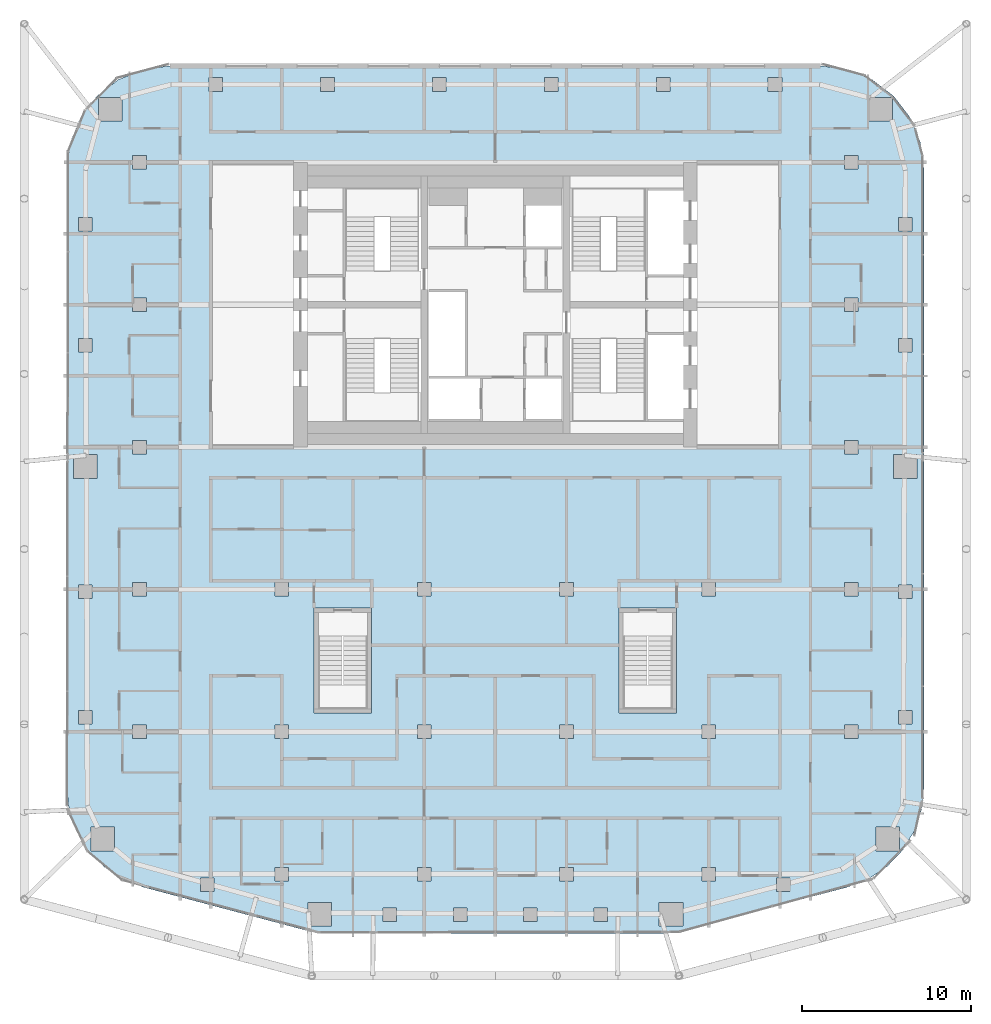
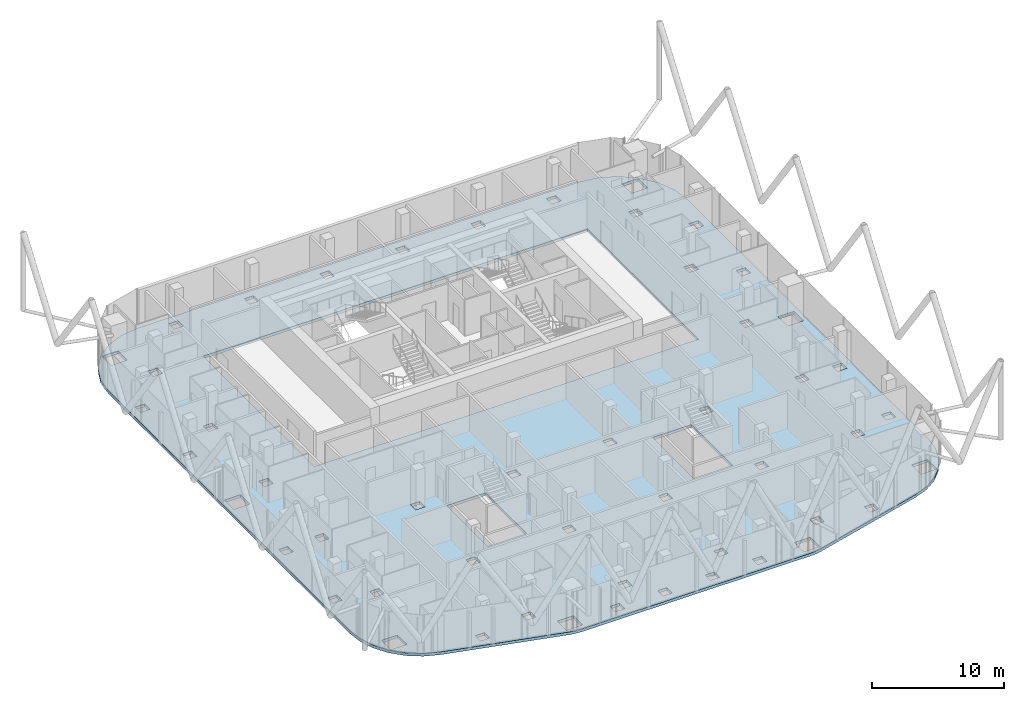
# One storey, part 17 of 31: 1 slab.
"""IFC4 building model written with IfcOpenShell, lengths in metres."""

from ifc_helpers import new_model, si_unit, direction, frame, origin, place, context, subcontext, project, spatial, polyline, outline, extrude, material, layer, layer_set, type_object, element, save


model = new_model("IFC4")

# Units and contexts
model_context = context("Model", 3, precision=1e-05, world=origin(), true_north=direction((0.0, 1.0)))
body_context = subcontext(model_context, "Body", "Model", "MODEL_VIEW")
ifc_project = project(units=[si_unit("LENGTHUNIT", "METRE"), si_unit("AREAUNIT", "SQUARE_METRE"), si_unit("VOLUMEUNIT", "CUBIC_METRE"), si_unit("PLANEANGLEUNIT", "RADIAN"), si_unit("MASSUNIT", "GRAM", prefix="KILO")], contexts=[model_context])

# Site, building, storey
site_placement = place(None, origin())
site = spatial("IfcSite", under=ifc_project, at=site_placement, CompositionType="ELEMENT")
building_placement = place(site_placement, origin())
building = spatial("IfcBuilding", under=site, at=building_placement, Name="Marenta Gate Hotel Tower", CompositionType="ELEMENT")
storey_placement = place(building_placement, frame((0.0, 0.0, 234.5)))
storey = spatial("IfcBuildingStorey", under=building, at=storey_placement, Name="L55", CompositionType="ELEMENT", Elevation=234.5)

# Slab
ifc_material = material(Name="Concrete C35", Category="concrete")
ifc_layer = layer(ifc_material, 0.260009765625)
ifc_layer_set = layer_set([ifc_layer], Name="Concrete C35")
slab_type = type_object("IfcSlabType", Name="Concrete floor slab 260", PredefinedType="FLOOR", material=ifc_layer_set)
slab_placement = place(storey_placement, frame((0.0, 0.0, -0.260009765625)))
element("IfcSlab", 1, at=slab_placement, inside=storey, type_object=slab_type, Name="L55-SL-1", PredefinedType="FLOOR", context=body_context, shape_type="SweptSolid", body=[
    extrude(outline(polyline([(-23.11376953125, -24.76416015625), (-24.035400390625, -23.803955078125), (-24.72705078125, -22.6669921875), (-25.155517578125, -21.4072265625), (-25.300048828125, -20.08984375), (-25.300048828125, 16.406494140625), (-25.093017578125, 17.97900390625), (-24.483642578125, 19.450439453125), (-23.513916015625, 20.7138671875), (-22.25048828125, 21.68359375), (-20.779052734375, 22.29296875), (-19.20654296875, 22.5), (19.20654296875, 22.5), (20.779052734375, 22.29296875), (22.25048828125, 21.68359375), (23.513916015625, 20.7138671875), (24.483642578125, 19.450439453125), (25.093017578125, 17.97900390625), (25.300048828125, 16.406494140625), (25.300048828125, -20.08984375), (25.155517578125, -21.4072265625), (24.72705078125, -22.6669921875), (24.035400390625, -23.803955078125), (23.11376953125, -24.76416015625), (22.005859375, -25.501220703125), (20.76953125, -25.978759765625), (11.026611328125, -28.563720703125), (10.508544921875, -28.665771484375), (9.981689453125, -28.699951171875), (-9.981689453125, -28.699951171875), (-10.508544921875, -28.665771484375), (-11.026611328125, -28.563720703125), (-20.76953125, -25.978759765625), (-22.005859375, -25.501220703125), (-23.11376953125, -24.76416015625)]), holes=[polyline([(-16.800048828125, 0.0), (16.800048828125, 0.0), (16.800048828125, 16.800048828125), (-16.800048828125, 16.800048828125), (-16.800048828125, 0.0)]), polyline([(-16.606689453125, -25.439208984375), (-17.40673828125, -25.439208984375), (-17.40673828125, -26.239013671875), (-16.606689453125, -26.239013671875), (-16.606689453125, -25.439208984375)]), polyline([(-12.199951171875, -25.60009765625), (-12.199951171875, -24.800048828125), (-13.0, -24.800048828125), (-13.0, -25.60009765625), (-12.199951171875, -25.60009765625)]), polyline([(-22.462890625, -23.8330078125), (-22.462890625, -22.43310546875), (-23.863037109375, -22.43310546875), (-23.863037109375, -23.8330078125), (-22.462890625, -23.8330078125)]), polyline([(-12.199951171875, -16.39990234375), (-13.0, -16.39990234375), (-13.0, -17.199951171875), (-12.199951171875, -17.199951171875), (-12.199951171875, -16.39990234375)]), polyline([(-20.60009765625, -17.199951171875), (-20.60009765625, -16.39990234375), (-21.39990234375, -16.39990234375), (-21.39990234375, -17.199951171875), (-20.60009765625, -17.199951171875)]), polyline([(-23.800048828125, -16.351806640625), (-23.800048828125, -15.552001953125), (-24.60009765625, -15.552001953125), (-24.60009765625, -16.351806640625), (-23.800048828125, -16.351806640625)]), polyline([(-23.800048828125, -8.15087890625), (-24.60009765625, -8.15087890625), (-24.60009765625, -8.950927734375), (-23.800048828125, -8.950927734375), (-23.800048828125, -8.15087890625)]), polyline([(-12.199951171875, -8.800048828125), (-12.199951171875, -8.0), (-13.0, -8.0), (-13.0, -8.800048828125), (-12.199951171875, -8.800048828125)]), polyline([(-20.60009765625, -8.800048828125), (-20.60009765625, -8.0), (-21.39990234375, -8.0), (-21.39990234375, -8.800048828125), (-20.60009765625, -8.800048828125)]), polyline([(-23.5, -0.449951171875), (-24.89990234375, -0.449951171875), (-24.89990234375, -1.85009765625), (-23.5, -1.85009765625), (-23.5, -0.449951171875)]), polyline([(-20.60009765625, -0.39990234375), (-20.60009765625, 0.39990234375), (-21.39990234375, 0.39990234375), (-21.39990234375, -0.39990234375), (-20.60009765625, -0.39990234375)]), polyline([(-23.800048828125, 5.603271484375), (-23.800048828125, 6.4033203125), (-24.60009765625, 6.4033203125), (-24.60009765625, 5.603271484375), (-23.800048828125, 5.603271484375)]), polyline([(-20.60009765625, 8.800048828125), (-21.39990234375, 8.800048828125), (-21.39990234375, 8.0), (-20.60009765625, 8.0), (-20.60009765625, 8.800048828125)]), polyline([(-23.800048828125, 12.75634765625), (-23.800048828125, 13.556396484375), (-24.60009765625, 13.556396484375), (-24.60009765625, 12.75634765625), (-23.800048828125, 12.75634765625)]), polyline([(-20.60009765625, 16.39990234375), (-20.60009765625, 17.199951171875), (-21.39990234375, 17.199951171875), (-21.39990234375, 16.39990234375), (-20.60009765625, 16.39990234375)]), polyline([(-22.035400390625, 20.635498046875), (-23.435546875, 20.635498046875), (-23.435546875, 19.235595703125), (-22.035400390625, 19.235595703125), (-22.035400390625, 20.635498046875)]), polyline([(-16.10693359375, 21.0), (-16.10693359375, 21.800048828125), (-16.906982421875, 21.800048828125), (-16.906982421875, 21.0), (-16.10693359375, 21.0)]), polyline([(-5.820068359375, -28.0), (-5.820068359375, -27.199951171875), (-6.6201171875, -27.199951171875), (-6.6201171875, -28.0), (-5.820068359375, -28.0)]), polyline([(6.6201171875, -27.199951171875), (5.820068359375, -27.199951171875), (5.820068359375, -28.0), (6.6201171875, -28.0), (6.6201171875, -27.199951171875)]), polyline([(2.473388671875, -28.0), (2.473388671875, -27.199951171875), (1.67333984375, -27.199951171875), (1.67333984375, -28.0), (2.473388671875, -28.0)]), polyline([(-1.67333984375, -28.0), (-1.67333984375, -27.199951171875), (-2.473388671875, -27.199951171875), (-2.473388671875, -28.0), (-1.67333984375, -28.0)]), polyline([(-9.666259765625, -28.27490234375), (-9.666259765625, -26.874755859375), (-11.06640625, -26.874755859375), (-11.06640625, -28.27490234375), (-9.666259765625, -28.27490234375)]), polyline([(11.06640625, -28.27490234375), (11.06640625, -26.874755859375), (9.666259765625, -26.874755859375), (9.666259765625, -28.27490234375), (11.06640625, -28.27490234375)]), polyline([(13.0, -25.60009765625), (13.0, -24.800048828125), (12.199951171875, -24.800048828125), (12.199951171875, -25.60009765625), (13.0, -25.60009765625)]), polyline([(4.60009765625, -25.60009765625), (4.60009765625, -24.800048828125), (3.800048828125, -24.800048828125), (3.800048828125, -25.60009765625), (4.60009765625, -25.60009765625)]), polyline([(-3.800048828125, -24.800048828125), (-4.60009765625, -24.800048828125), (-4.60009765625, -25.60009765625), (-3.800048828125, -25.60009765625), (-3.800048828125, -24.800048828125)]), polyline([(4.60009765625, -17.199951171875), (4.60009765625, -16.39990234375), (3.800048828125, -16.39990234375), (3.800048828125, -17.199951171875), (4.60009765625, -17.199951171875)]), polyline([(-3.800048828125, -17.199951171875), (-3.800048828125, -16.39990234375), (-4.60009765625, -16.39990234375), (-4.60009765625, -17.199951171875), (-3.800048828125, -17.199951171875)]), polyline([(4.60009765625, -8.0), (3.800048828125, -8.0), (3.800048828125, -8.800048828125), (4.60009765625, -8.800048828125), (4.60009765625, -8.0)]), polyline([(-3.800048828125, -8.800048828125), (-3.800048828125, -8.0), (-4.60009765625, -8.0), (-4.60009765625, -8.800048828125), (-3.800048828125, -8.800048828125)]), polyline([(-2.9013671875, 21.0), (-2.9013671875, 21.800048828125), (-3.701416015625, 21.800048828125), (-3.701416015625, 21.0), (-2.9013671875, 21.0)]), polyline([(3.701416015625, 21.800048828125), (2.9013671875, 21.800048828125), (2.9013671875, 21.0), (3.701416015625, 21.0), (3.701416015625, 21.800048828125)]), polyline([(10.30419921875, 21.0), (10.30419921875, 21.800048828125), (9.504150390625, 21.800048828125), (9.504150390625, 21.0), (10.30419921875, 21.0)]), polyline([(-9.504150390625, 21.0), (-9.504150390625, 21.800048828125), (-10.30419921875, 21.800048828125), (-10.30419921875, 21.0), (-9.504150390625, 21.0)]), polyline([(17.40673828125, -25.439208984375), (16.606689453125, -25.439208984375), (16.606689453125, -26.239013671875), (17.40673828125, -26.239013671875), (17.40673828125, -25.439208984375)]), polyline([(23.863037109375, -23.8330078125), (23.863037109375, -22.43310546875), (22.462890625, -22.43310546875), (22.462890625, -23.8330078125), (23.863037109375, -23.8330078125)]), polyline([(13.0, -17.199951171875), (13.0, -16.39990234375), (12.199951171875, -16.39990234375), (12.199951171875, -17.199951171875), (13.0, -17.199951171875)]), polyline([(21.39990234375, -16.39990234375), (20.60009765625, -16.39990234375), (20.60009765625, -17.199951171875), (21.39990234375, -17.199951171875), (21.39990234375, -16.39990234375)]), polyline([(24.60009765625, -16.351806640625), (24.60009765625, -15.552001953125), (23.800048828125, -15.552001953125), (23.800048828125, -16.351806640625), (24.60009765625, -16.351806640625)]), polyline([(24.60009765625, -8.950927734375), (24.60009765625, -8.15087890625), (23.800048828125, -8.15087890625), (23.800048828125, -8.950927734375), (24.60009765625, -8.950927734375)]), polyline([(13.0, -8.0), (12.199951171875, -8.0), (12.199951171875, -8.800048828125), (13.0, -8.800048828125), (13.0, -8.0)]), polyline([(21.39990234375, -8.800048828125), (21.39990234375, -8.0), (20.60009765625, -8.0), (20.60009765625, -8.800048828125), (21.39990234375, -8.800048828125)]), polyline([(24.89990234375, -1.85009765625), (24.89990234375, -0.449951171875), (23.5, -0.449951171875), (23.5, -1.85009765625), (24.89990234375, -1.85009765625)]), polyline([(21.39990234375, 0.39990234375), (20.60009765625, 0.39990234375), (20.60009765625, -0.39990234375), (21.39990234375, -0.39990234375), (21.39990234375, 0.39990234375)]), polyline([(24.60009765625, 5.603271484375), (24.60009765625, 6.4033203125), (23.800048828125, 6.4033203125), (23.800048828125, 5.603271484375), (24.60009765625, 5.603271484375)]), polyline([(21.39990234375, 8.0), (21.39990234375, 8.800048828125), (20.60009765625, 8.800048828125), (20.60009765625, 8.0), (21.39990234375, 8.0)]), polyline([(24.60009765625, 12.75634765625), (24.60009765625, 13.556396484375), (23.800048828125, 13.556396484375), (23.800048828125, 12.75634765625), (24.60009765625, 12.75634765625)]), polyline([(21.39990234375, 16.39990234375), (21.39990234375, 17.199951171875), (20.60009765625, 17.199951171875), (20.60009765625, 16.39990234375), (21.39990234375, 16.39990234375)]), polyline([(23.435546875, 19.235595703125), (23.435546875, 20.635498046875), (22.035400390625, 20.635498046875), (22.035400390625, 19.235595703125), (23.435546875, 19.235595703125)]), polyline([(16.906982421875, 21.0), (16.906982421875, 21.800048828125), (16.10693359375, 21.800048828125), (16.10693359375, 21.0), (16.906982421875, 21.0)]), polyline([(-7.300048828125, -15.699951171875), (-7.300048828125, -9.5), (-10.699951171875, -9.5), (-10.699951171875, -15.699951171875), (-7.300048828125, -15.699951171875)]), polyline([(10.699951171875, -15.699951171875), (10.699951171875, -9.5), (7.300048828125, -9.5), (7.300048828125, -15.699951171875), (10.699951171875, -15.699951171875)])]), origin(), (0.0, 0.0, 1.0), 0.260009765625),
])

save(model, "model.ifc")
